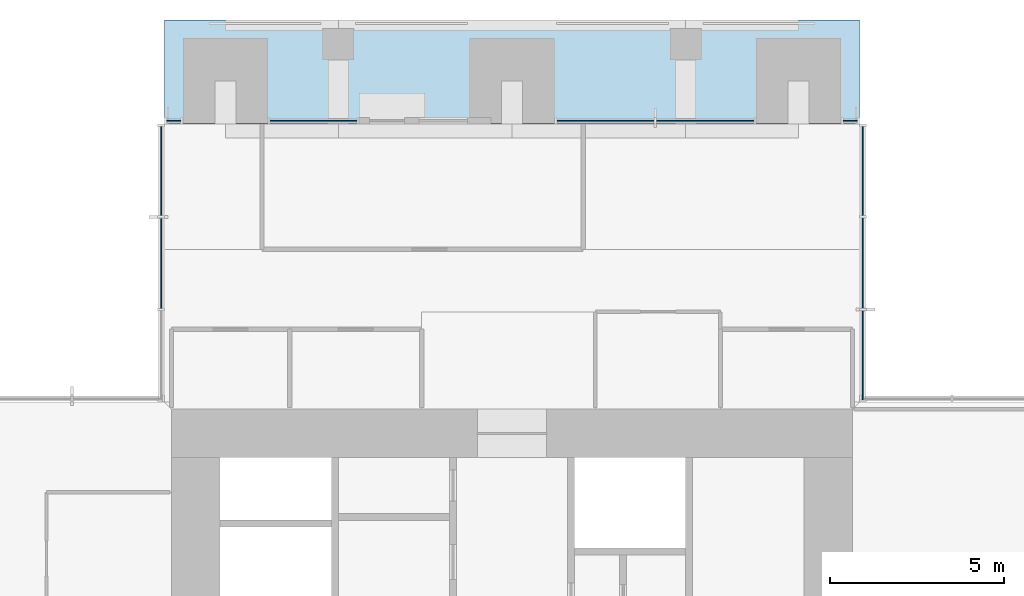
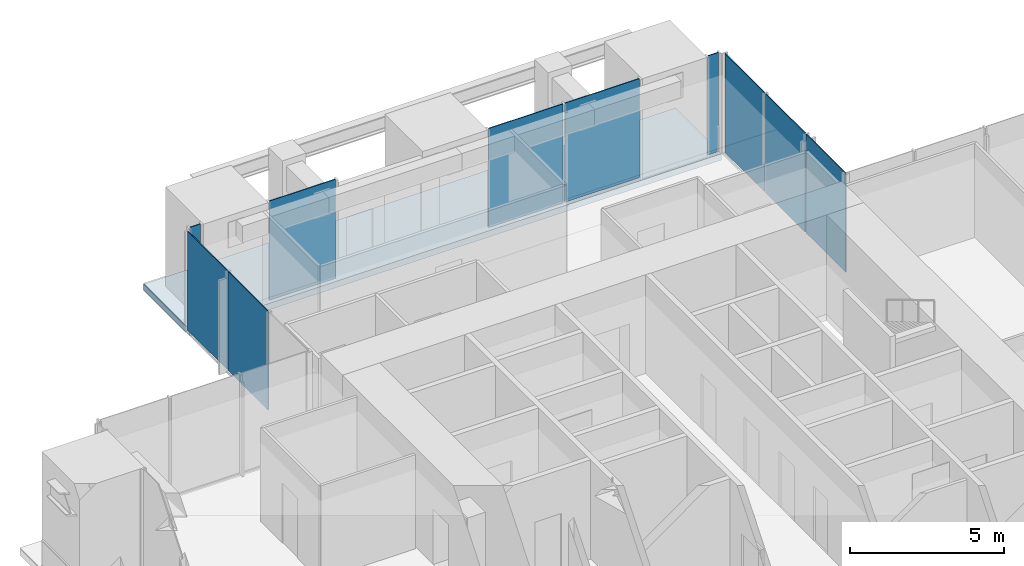
# One storey, part 11 of 17: 10 plates, 1 slab, 6 elements without a shape of their own.
"""IFC4 building model written with IfcOpenShell, lengths in metres."""

from ifc_helpers import new_model, si_unit, direction, frame, origin, origin_2d, place, context, subcontext, project, spatial, polyline, rectangle, outline, extrude, material, layer, layer_set, type_object, element, aggregate, save


model = new_model("IFC4")

# Units and contexts
model_context = context("Model", 3, precision=1e-05, world=origin(), true_north=direction((0.0, 1.0)))
body_context = subcontext(model_context, "Body", "Model", "MODEL_VIEW")
ifc_project = project(units=[si_unit("LENGTHUNIT", "METRE"), si_unit("AREAUNIT", "SQUARE_METRE"), si_unit("VOLUMEUNIT", "CUBIC_METRE"), si_unit("PLANEANGLEUNIT", "RADIAN"), si_unit("MASSUNIT", "GRAM", prefix="KILO")], contexts=[model_context])

# Site, building, storey
site_placement = place(None, origin())
site = spatial("IfcSite", under=ifc_project, at=site_placement, CompositionType="ELEMENT")
building_placement = place(site_placement, origin())
building = spatial("IfcBuilding", under=site, at=building_placement, Name="Svetlomir Tower", CompositionType="ELEMENT")
storey_placement = place(building_placement, frame((0.0, 0.0, 222.5)))
storey = spatial("IfcBuildingStorey", under=building, at=storey_placement, Name="L53", CompositionType="ELEMENT", Elevation=222.5)

# Curtain wall, plates
ifc_material_1 = material(Name="Bronze anodised aluminium curtain wall", Category="aluminium")
curtain_wall_type = type_object("IfcCurtainWallType", Name="CURTAIN WALL CW1 TOWER OFFICE", PredefinedType="NOTDEFINED", material=ifc_material_1)
curtain_wall_1_placement = place(storey_placement, origin())
curtain_wall_1 = element("IfcCurtainWall", 1, at=curtain_wall_1_placement, inside=storey, type_object=curtain_wall_type, Name="Curtain wall CW1 L53", PredefinedType="NOTDEFINED")
ifc_material_2 = material(Name="Tinted double glazed unit", Category="glass")
ifc_layer_1 = layer(ifc_material_2, 0.031982421875)
ifc_layer_set_1 = layer_set([ifc_layer_1], Name="Tinted double glazed unit")
plate_type = type_object("IfcPlateType", Name="CW1 GLAZED PANEL 32", PredefinedType="CURTAIN_PANEL", material=ifc_layer_set_1)
plate_1_placement = place(storey_placement, frame((31.10009765625, 32.349609375, 0.06494140625), z_axis=(0.0, 0.0, 1.0), x_axis=(0.0, 1.0, 0.0)))
plate_1 = element("IfcPlate", 2, at=plate_1_placement, type_object=plate_type, Name="CW1 panel 1.1", PredefinedType="CURTAIN_PANEL", context=body_context, shape_type="SweptSolid", body=[
    extrude(rectangle(XDim=2.569091796875, YDim=0.031982421875, at=origin_2d()), origin(), (0.0, 0.0, 1.0), 3.93505859375),
])
plate_2_placement = place(storey_placement, frame((31.10009765625, 35.0, 0.06494140625), z_axis=(0.0, 0.0, 1.0), x_axis=(0.0, 1.0, 0.0)))
plate_2 = element("IfcPlate", 3, at=plate_2_placement, type_object=plate_type, Name="CW1 panel 2.1", PredefinedType="CURTAIN_PANEL", context=body_context, shape_type="SweptSolid", body=[
    extrude(rectangle(XDim=2.6015625, YDim=0.031982421875, at=origin_2d()), origin(), (0.0, 0.0, 1.0), 3.93505859375),
])
plate_3_placement = place(storey_placement, frame((31.10009765625, 37.650390625, 0.06494140625), z_axis=(0.0, 0.0, 1.0), x_axis=(0.0, 1.0, 0.0)))
plate_3 = element("IfcPlate", 4, at=plate_3_placement, type_object=plate_type, Name="CW1 panel 3.1", PredefinedType="CURTAIN_PANEL", context=body_context, shape_type="SweptSolid", body=[
    extrude(rectangle(XDim=2.569091796875, YDim=0.031982421875, at=origin_2d()), origin(), (0.0, 0.0, 1.0), 3.93505859375),
])
aggregate(curtain_wall_1, [plate_1, plate_2, plate_3])

# Curtain wall, plate
curtain_wall_2_placement = place(storey_placement, origin())
curtain_wall_2 = element("IfcCurtainWall", 5, at=curtain_wall_2_placement, inside=storey, type_object=curtain_wall_type, Name="Curtain wall CW1 L53", PredefinedType="NOTDEFINED")
plate_4_placement = place(storey_placement, frame((30.737548828125, 39.10009765625, 0.06494140625), z_axis=(0.0, 0.0, 1.0), x_axis=(-1.0, 0.0, 0.0)))
plate_4 = element("IfcPlate", 6, at=plate_4_placement, type_object=plate_type, Name="CW1 panel 1.1", PredefinedType="CURTAIN_PANEL", context=body_context, shape_type="SweptSolid", body=[
    extrude(rectangle(XDim=0.39501953125, YDim=0.031982421875, at=origin_2d()), origin(), (0.0, 0.0, 1.0), 3.93505859375),
])
aggregate(curtain_wall_2, [plate_4])

# Curtain wall, plates
curtain_wall_3_placement = place(storey_placement, origin())
curtain_wall_3 = element("IfcCurtainWall", 7, at=curtain_wall_3_placement, inside=storey, type_object=curtain_wall_type, Name="Curtain wall CW1 L53", PredefinedType="NOTDEFINED")
plate_5_placement = place(storey_placement, frame((26.558837890625, 39.10009765625, 0.06494140625), z_axis=(0.0, 0.0, 1.0), x_axis=(-1.0, 0.0, 0.0)))
plate_5 = element("IfcPlate", 8, at=plate_5_placement, type_object=plate_type, Name="CW1 panel 1.1", PredefinedType="CURTAIN_PANEL", context=body_context, shape_type="SweptSolid", body=[
    extrude(rectangle(XDim=2.802490234375, YDim=0.031982421875, at=origin_2d()), origin(), (0.0, 0.0, 1.0), 3.93505859375),
])
plate_6_placement = place(storey_placement, frame((23.691162109375, 39.10009765625, 0.06494140625), z_axis=(0.0, 0.0, 1.0), x_axis=(-1.0, 0.0, 0.0)))
plate_6 = element("IfcPlate", 9, at=plate_6_placement, type_object=plate_type, Name="CW1 panel 2.1", PredefinedType="CURTAIN_PANEL", context=body_context, shape_type="SweptSolid", body=[
    extrude(rectangle(XDim=2.802490234375, YDim=0.031982421875, at=origin_2d()), origin(), (0.0, 0.0, 1.0), 3.93505859375),
])
aggregate(curtain_wall_3, [plate_5, plate_6])

# Curtain wall, plate
curtain_wall_4_placement = place(storey_placement, origin())
curtain_wall_4 = element("IfcCurtainWall", 10, at=curtain_wall_4_placement, inside=storey, type_object=curtain_wall_type, Name="Curtain wall CW1 L53", PredefinedType="NOTDEFINED")
plate_7_placement = place(storey_placement, frame((15.28759765625, 39.10009765625, 0.06494140625), z_axis=(0.0, 0.0, 1.0), x_axis=(-1.0, 0.0, 0.0)))
plate_7 = element("IfcPlate", 11, at=plate_7_placement, type_object=plate_type, Name="CW1 panel 1.1", PredefinedType="CURTAIN_PANEL", context=body_context, shape_type="SweptSolid", body=[
    extrude(rectangle(XDim=2.4951171875, YDim=0.031982421875, at=origin_2d()), origin(), (0.0, 0.0, 1.0), 3.93505859375),
])
aggregate(curtain_wall_4, [plate_7])

curtain_wall_5_placement = place(storey_placement, origin())
curtain_wall_5 = element("IfcCurtainWall", 12, at=curtain_wall_5_placement, inside=storey, type_object=curtain_wall_type, Name="Curtain wall CW1 L53", PredefinedType="NOTDEFINED")
plate_8_placement = place(storey_placement, frame((11.262451171875, 39.10009765625, 0.06494140625), z_axis=(0.0, 0.0, 1.0), x_axis=(-1.0, 0.0, 0.0)))
plate_8 = element("IfcPlate", 13, at=plate_8_placement, type_object=plate_type, Name="CW1 panel 1.1", PredefinedType="CURTAIN_PANEL", context=body_context, shape_type="SweptSolid", body=[
    extrude(rectangle(XDim=0.39501953125, YDim=0.031982421875, at=origin_2d()), origin(), (0.0, 0.0, 1.0), 3.93505859375),
])
aggregate(curtain_wall_5, [plate_8])

# Curtain wall, plates
curtain_wall_6_placement = place(storey_placement, origin())
curtain_wall_6 = element("IfcCurtainWall", 14, at=curtain_wall_6_placement, inside=storey, type_object=curtain_wall_type, Name="Curtain wall CW1 L53", PredefinedType="NOTDEFINED")
plate_9_placement = place(storey_placement, frame((10.89990234375, 37.650390625, 0.06494140625), z_axis=(0.0, 0.0, 1.0), x_axis=(0.0, -1.0, 0.0)))
plate_9 = element("IfcPlate", 15, at=plate_9_placement, type_object=plate_type, Name="CW1 panel 1.1", PredefinedType="CURTAIN_PANEL", context=body_context, shape_type="SweptSolid", body=[
    extrude(rectangle(XDim=2.569091796875, YDim=0.031982421875, at=origin_2d()), origin(), (0.0, 0.0, 1.0), 3.93505859375),
])
plate_10_placement = place(storey_placement, frame((10.89990234375, 35.0, 0.06494140625), z_axis=(0.0, 0.0, 1.0), x_axis=(0.0, -1.0, 0.0)))
plate_10 = element("IfcPlate", 16, at=plate_10_placement, type_object=plate_type, Name="CW1 panel 2.1", PredefinedType="CURTAIN_PANEL", context=body_context, shape_type="SweptSolid", body=[
    extrude(rectangle(XDim=2.6015625, YDim=0.031982421875, at=origin_2d()), origin(), (0.0, 0.0, 1.0), 3.93505859375),
])
aggregate(curtain_wall_6, [plate_9, plate_10])

# Slab
ifc_material_3 = material(Name="Concrete C60/75", Category="concrete")
ifc_layer_2 = layer(ifc_material_3, 0.25)
ifc_layer_set_2 = layer_set([ifc_layer_2], Name="Concrete C60/75")
slab_type = type_object("IfcSlabType", Name="PLANTED LOGGIA SLAB 250", PredefinedType="FLOOR", material=ifc_layer_set_2)
slab_placement = place(storey_placement, frame((0.0, 0.0, -0.25)))
element("IfcSlab", 17, at=slab_placement, inside=storey, type_object=slab_type, Name="L53 N planted loggia", PredefinedType="FLOOR", context=body_context, shape_type="SweptSolid", body=[
    extrude(outline(polyline([(11.0, 39.0), (31.0, 39.0), (31.0, 42.0), (11.0, 42.0), (11.0, 39.0)])), origin(), (0.0, 0.0, 1.0), 0.25),
])

save(model, "model.ifc")
